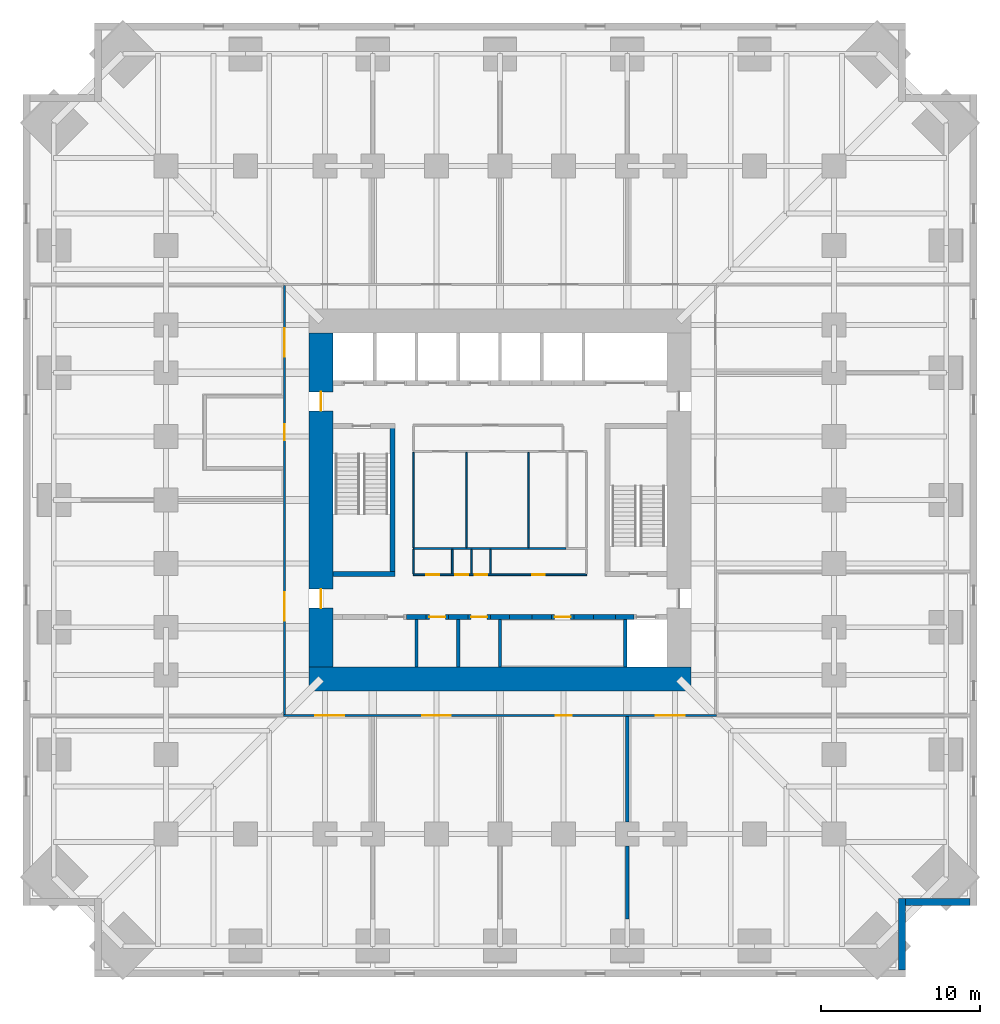
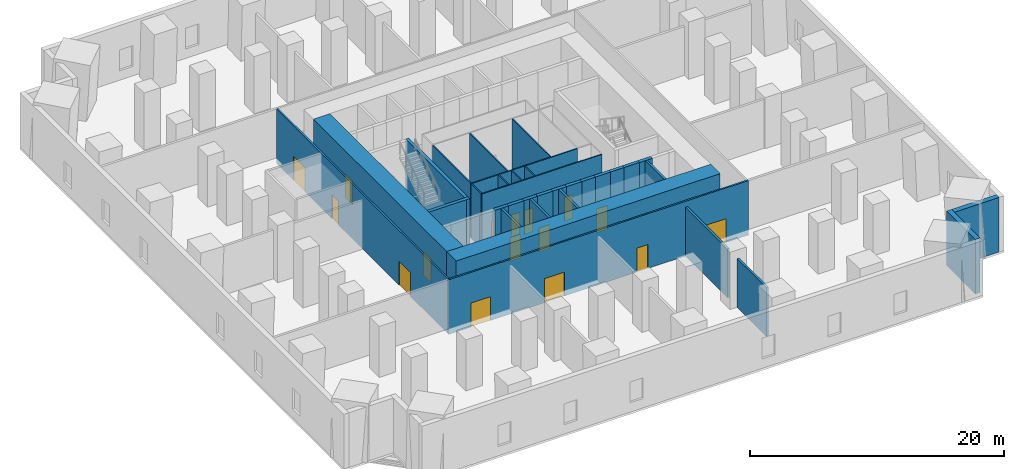
# One storey, part 4 of 8: 34 walls, 16 doors, 16 openings.
"""IFC4 building model written with IfcOpenShell, lengths in metres."""

from ifc_helpers import new_model, si_unit, direction, frame, frame_2d, origin, place, context, subcontext, project, spatial, rectangle, extrude, material, layer, layer_set, type_object, element, fill, save


model = new_model("IFC4")

# Units and contexts
model_context = context("Model", 3, precision=1e-05, world=origin(), true_north=direction((0.0, 1.0)))
body_context = subcontext(model_context, "Body", "Model", "MODEL_VIEW")
ifc_project = project(units=[si_unit("LENGTHUNIT", "METRE"), si_unit("AREAUNIT", "SQUARE_METRE"), si_unit("VOLUMEUNIT", "CUBIC_METRE"), si_unit("PLANEANGLEUNIT", "RADIAN"), si_unit("MASSUNIT", "GRAM", prefix="KILO")], contexts=[model_context])

# Site, building, storey
site_placement = place(None, origin())
site = spatial("IfcSite", under=ifc_project, at=site_placement, CompositionType="ELEMENT")
building_placement = place(site_placement, origin())
building = spatial("IfcBuilding", under=site, at=building_placement, Name="Peilmerk Tower", CompositionType="ELEMENT")
storey_placement = place(building_placement, frame((0.0, 0.0, 70.5)))
storey = spatial("IfcBuildingStorey", under=building, at=storey_placement, Name="L13", CompositionType="ELEMENT", Elevation=70.5)

# Walls
ifc_material_1 = material(Name="Precast concrete C45/55, board-marked finish", Category="concrete")
ifc_layer_1 = layer(ifc_material_1, 0.449951171875)
ifc_layer_set_1 = layer_set([ifc_layer_1], Name="Precast concrete C45/55, board-marked finish")
wall_type_1 = type_object("IfcWallType", Name="EW1 450 precast concrete facade wall, board-marked", PredefinedType="SOLIDWALL", material=ifc_layer_set_1)
wall_1_placement = place(storey_placement, frame((25.27490234375, -25.050048828125, 0.0), z_axis=(0.0, 0.0, 1.0), x_axis=(0.0, -1.0, 0.0)))
element("IfcWall", 1, at=wall_1_placement, inside=storey, type_object=wall_type_1, Name="Facade wall SEA L13", PredefinedType="SOLIDWALL", context=body_context, shape_type="SweptSolid", body=[
    extrude(rectangle(XDim=4.5, YDim=0.449951171875, at=frame_2d((2.25, 0.0))), origin(), (0.0, 0.0, 1.0), 5.25),
])
wall_2_placement = place(storey_placement, frame((25.5, -25.27490234375, 0.0), z_axis=(0.0, 0.0, 1.0), x_axis=(1.0, 0.0, 0.0)))
element("IfcWall", 2, at=wall_2_placement, inside=storey, type_object=wall_type_1, Name="Facade wall SEB L13", PredefinedType="SOLIDWALL", context=body_context, shape_type="SweptSolid", body=[
    extrude(rectangle(XDim=4.050048828125, YDim=0.449951171875, at=frame_2d((2.02490234375, 0.0))), origin(), (0.0, 0.0, 1.0), 5.25),
])

# Wall, openings, doors
ifc_material_2 = material(Name="Calcium silicate block", Category="masonry")
ifc_layer_2 = layer(ifc_material_2, 0.14990234375)
ifc_layer_set_2 = layer_set([ifc_layer_2], Name="Calcium silicate block")
wall_type_2 = type_object("IfcWallType", Name="IW1 150 corridor partition, EI 60", PredefinedType="PARTITIONING", material=ifc_layer_set_2)
wall_3_placement = place(storey_placement, frame((13.625, -13.550048828125, 0.0), z_axis=(0.0, 0.0, 1.0), x_axis=(-1.0, 0.0, 0.0)))
wall_3 = element("IfcWall", 3, at=wall_3_placement, inside=storey, type_object=wall_type_2, Name="Corridor wall S L13", PredefinedType="PARTITIONING", context=body_context, shape_type="SweptSolid", body=[
    extrude(rectangle(XDim=27.25, YDim=0.14990234375, at=frame_2d((13.625, 0.0))), origin(), (0.0, 0.0, 1.0), 5.25),
])
opening_1_placement = place(wall_3_placement, frame((23.425048828125, 0.0, 0.0)))
opening_1 = element("IfcOpeningElement", 4, at=opening_1_placement, cuts=wall_3, Name="Opening D2", PredefinedType="OPENING", context=body_context, shape_type="SweptSolid", body=[
    extrude(rectangle(XDim=1.800048828125, YDim=2.300048828125, at=frame_2d((0.89990234375, 1.14990234375))), frame((0.0, 0.0849609375, 0.0), z_axis=(0.0, -1.0, 0.0), x_axis=(1.0, 0.0, 0.0)), (0.0, 0.0, 1.0), 0.169921875),
])
opening_2_placement = place(wall_3_placement, frame((16.72509765625, 0.0, 0.0)))
opening_2 = element("IfcOpeningElement", 5, at=opening_2_placement, cuts=wall_3, Name="Opening D2", PredefinedType="OPENING", context=body_context, shape_type="SweptSolid", body=[
    extrude(rectangle(XDim=1.800048828125, YDim=2.300048828125, at=frame_2d((0.89990234375, 1.14990234375))), frame((0.0, 0.0849609375, 0.0), z_axis=(0.0, -1.0, 0.0), x_axis=(1.0, 0.0, 0.0)), (0.0, 0.0, 1.0), 0.169921875),
])
opening_3_placement = place(wall_3_placement, frame((9.125, 0.0, 0.0)))
opening_3 = element("IfcOpeningElement", 6, at=opening_3_placement, cuts=wall_3, Name="Opening D1", PredefinedType="OPENING", context=body_context, shape_type="SweptSolid", body=[
    extrude(rectangle(XDim=1.0, YDim=2.300048828125, at=frame_2d((0.5, 1.14990234375))), frame((0.0, 0.0849609375, 0.0), z_axis=(0.0, -1.0, 0.0), x_axis=(1.0, 0.0, 0.0)), (0.0, 0.0, 1.0), 0.169921875),
])
opening_4_placement = place(wall_3_placement, frame((2.02490234375, 0.0, 0.0)))
opening_4 = element("IfcOpeningElement", 7, at=opening_4_placement, cuts=wall_3, Name="Opening D2", PredefinedType="OPENING", context=body_context, shape_type="SweptSolid", body=[
    extrude(rectangle(XDim=1.800048828125, YDim=2.300048828125, at=frame_2d((0.89990234375, 1.14990234375))), frame((0.0, 0.0849609375, 0.0), z_axis=(0.0, -1.0, 0.0), x_axis=(1.0, 0.0, 0.0)), (0.0, 0.0, 1.0), 0.169921875),
])
ifc_material_3 = material(Name="Timber door in steel frame", Category="steel")
door_type_1 = type_object("IfcDoorType", Name="D1 1000x2300 room door, EI2 30", OperationType="SINGLE_SWING_LEFT", PredefinedType="DOOR", material=ifc_material_3)
door_1_placement = place(opening_3_placement, origin())
door_1 = element("IfcDoor", 8, at=door_1_placement, inside=storey, type_object=door_type_1, Name="Door Pump room L13", OperationType="SINGLE_SWING_LEFT", OverallHeight=2.300048828125, OverallWidth=1.0, PredefinedType="DOOR", context=body_context, shape_type="SweptSolid", body=[
    extrude(rectangle(XDim=1.0, YDim=2.300048828125, at=frame_2d((0.5, 1.14990234375))), frame((0.0, 0.02490234375, 0.0), z_axis=(0.0, -1.0, 0.0), x_axis=(1.0, 0.0, 0.0)), (0.0, 0.0, 1.0), 0.050048828125),
])
fill(opening_3, door_1)
ifc_material_4 = material(Name="Steel door in steel frame", Category="steel")
door_type_2 = type_object("IfcDoorType", Name="D2 1800x2300 double door, EI2 60", OperationType="DOUBLE_DOOR_DOUBLE_SWING", PredefinedType="DOOR", material=ifc_material_4)
door_2_placement = place(opening_1_placement, origin())
door_2 = element("IfcDoor", 9, at=door_2_placement, inside=storey, type_object=door_type_2, Name="Door Computer room C L13", OperationType="DOUBLE_DOOR_DOUBLE_SWING", OverallHeight=2.300048828125, OverallWidth=1.800048828125, PredefinedType="DOOR", context=body_context, shape_type="SweptSolid", body=[
    extrude(rectangle(XDim=1.800048828125, YDim=2.300048828125, at=frame_2d((0.89990234375, 1.14990234375))), frame((0.0, 0.02490234375, 0.0), z_axis=(0.0, -1.0, 0.0), x_axis=(1.0, 0.0, 0.0)), (0.0, 0.0, 1.0), 0.050048828125),
])
fill(opening_1, door_2)
door_3_placement = place(opening_2_placement, origin())
door_3 = element("IfcDoor", 10, at=door_3_placement, inside=storey, type_object=door_type_2, Name="Door Network room L13", OperationType="DOUBLE_DOOR_DOUBLE_SWING", OverallHeight=2.300048828125, OverallWidth=1.800048828125, PredefinedType="DOOR", context=body_context, shape_type="SweptSolid", body=[
    extrude(rectangle(XDim=1.800048828125, YDim=2.300048828125, at=frame_2d((0.89990234375, 1.14990234375))), frame((0.0, 0.02490234375, 0.0), z_axis=(0.0, -1.0, 0.0), x_axis=(1.0, 0.0, 0.0)), (0.0, 0.0, 1.0), 0.050048828125),
])
fill(opening_2, door_3)
door_4_placement = place(opening_4_placement, origin())
door_4 = element("IfcDoor", 11, at=door_4_placement, inside=storey, type_object=door_type_2, Name="Door Computer room D L13", OperationType="DOUBLE_DOOR_DOUBLE_SWING", OverallHeight=2.300048828125, OverallWidth=1.800048828125, PredefinedType="DOOR", context=body_context, shape_type="SweptSolid", body=[
    extrude(rectangle(XDim=1.800048828125, YDim=2.300048828125, at=frame_2d((0.89990234375, 1.14990234375))), frame((0.0, 0.02490234375, 0.0), z_axis=(0.0, -1.0, 0.0), x_axis=(1.0, 0.0, 0.0)), (0.0, 0.0, 1.0), 0.050048828125),
])
fill(opening_4, door_4)

wall_4_placement = place(storey_placement, frame((-13.550048828125, 13.47509765625, 0.0), z_axis=(0.0, 0.0, 1.0), x_axis=(0.0, -1.0, 0.0)))
wall_4 = element("IfcWall", 12, at=wall_4_placement, inside=storey, type_object=wall_type_2, Name="Corridor wall W L13", PredefinedType="PARTITIONING", context=body_context, shape_type="SweptSolid", body=[
    extrude(rectangle(XDim=26.9501953125, YDim=0.14990234375, at=frame_2d((13.47509765625, 0.0))), origin(), (0.0, 0.0, 1.0), 5.25),
])
opening_5_placement = place(wall_4_placement, frame((19.27490234375, 0.0, 0.0)))
opening_5 = element("IfcOpeningElement", 13, at=opening_5_placement, cuts=wall_4, Name="Opening D2", PredefinedType="OPENING", context=body_context, shape_type="SweptSolid", body=[
    extrude(rectangle(XDim=1.800048828125, YDim=2.300048828125, at=frame_2d((0.89990234375, 1.14990234375))), frame((0.0, 0.0849609375, 0.0), z_axis=(0.0, -1.0, 0.0), x_axis=(1.0, 0.0, 0.0)), (0.0, 0.0, 1.0), 0.169921875),
])
opening_6_placement = place(wall_4_placement, frame((2.675048828125, 0.0, 0.0)))
opening_6 = element("IfcOpeningElement", 14, at=opening_6_placement, cuts=wall_4, Name="Opening D2", PredefinedType="OPENING", context=body_context, shape_type="SweptSolid", body=[
    extrude(rectangle(XDim=1.800048828125, YDim=2.300048828125, at=frame_2d((0.89990234375, 1.14990234375))), frame((0.0, 0.0849609375, 0.0), z_axis=(0.0, -1.0, 0.0), x_axis=(1.0, 0.0, 0.0)), (0.0, 0.0, 1.0), 0.169921875),
])
opening_7_placement = place(wall_4_placement, frame((8.72509765625, 0.0, 0.0)))
opening_7 = element("IfcOpeningElement", 15, at=opening_7_placement, cuts=wall_4, Name="Opening D1", PredefinedType="OPENING", context=body_context, shape_type="SweptSolid", body=[
    extrude(rectangle(XDim=1.0, YDim=2.300048828125, at=frame_2d((0.5, 1.14990234375))), frame((0.0, 0.0849609375, 0.0), z_axis=(0.0, -1.0, 0.0), x_axis=(1.0, 0.0, 0.0)), (0.0, 0.0, 1.0), 0.169921875),
])
door_5_placement = place(opening_7_placement, frame((1.0, 0.0, 0.0), z_axis=(0.0, 0.0, 1.0), x_axis=(-1.0, 0.0, 0.0)))
door_5 = element("IfcDoor", 16, at=door_5_placement, inside=storey, type_object=door_type_1, Name="Door Operations office L13", OperationType="SINGLE_SWING_LEFT", OverallHeight=2.300048828125, OverallWidth=1.0, PredefinedType="DOOR", context=body_context, shape_type="SweptSolid", body=[
    extrude(rectangle(XDim=1.0, YDim=2.300048828125, at=frame_2d((0.5, 1.14990234375))), frame((0.0, 0.02490234375, 0.0), z_axis=(0.0, -1.0, 0.0), x_axis=(1.0, 0.0, 0.0)), (0.0, 0.0, 1.0), 0.050048828125),
])
fill(opening_7, door_5)
door_6_placement = place(opening_5_placement, frame((1.800048828125, 0.0, 0.0), z_axis=(0.0, 0.0, 1.0), x_axis=(-1.0, 0.0, 0.0)))
door_6 = element("IfcDoor", 17, at=door_6_placement, inside=storey, type_object=door_type_2, Name="Door Battery room L13", OperationType="DOUBLE_DOOR_DOUBLE_SWING", OverallHeight=2.300048828125, OverallWidth=1.800048828125, PredefinedType="DOOR", context=body_context, shape_type="SweptSolid", body=[
    extrude(rectangle(XDim=1.800048828125, YDim=2.300048828125, at=frame_2d((0.89990234375, 1.14990234375))), frame((0.0, 0.02490234375, 0.0), z_axis=(0.0, -1.0, 0.0), x_axis=(1.0, 0.0, 0.0)), (0.0, 0.0, 1.0), 0.050048828125),
])
fill(opening_5, door_6)
door_7_placement = place(opening_6_placement, frame((1.800048828125, 0.0, 0.0), z_axis=(0.0, 0.0, 1.0), x_axis=(-1.0, 0.0, 0.0)))
door_7 = element("IfcDoor", 18, at=door_7_placement, inside=storey, type_object=door_type_2, Name="Door UPS room L13", OperationType="DOUBLE_DOOR_DOUBLE_SWING", OverallHeight=2.300048828125, OverallWidth=1.800048828125, PredefinedType="DOOR", context=body_context, shape_type="SweptSolid", body=[
    extrude(rectangle(XDim=1.800048828125, YDim=2.300048828125, at=frame_2d((0.89990234375, 1.14990234375))), frame((0.0, 0.02490234375, 0.0), z_axis=(0.0, -1.0, 0.0), x_axis=(1.0, 0.0, 0.0)), (0.0, 0.0, 1.0), 0.050048828125),
])
fill(opening_6, door_7)

# Walls
ifc_layer_3 = layer(ifc_material_2, 0.199951171875)
ifc_layer_set_3 = layer_set([ifc_layer_3], Name="Calcium silicate block")
wall_type_3 = type_object("IfcWallType", Name="IW2 200 room separating wall, EI 120", PredefinedType="PARTITIONING", material=ifc_layer_set_3)
wall_5_placement = place(storey_placement, frame((8.0, -13.625, 0.0), z_axis=(0.0, 0.0, 1.0), x_axis=(0.0, -1.0, 0.0)))
element("IfcWall", 19, at=wall_5_placement, inside=storey, type_object=wall_type_3, Name="Room separating wall S3 L13", PredefinedType="PARTITIONING", context=body_context, shape_type="SweptSolid", body=[
    extrude(rectangle(XDim=6.625, YDim=0.199951171875, at=frame_2d((3.3125, 0.0))), origin(), (0.0, 0.0, 1.0), 4.680908203125),
])
wall_6_placement = place(storey_placement, frame((8.0, -21.75, 0.0), z_axis=(0.0, 0.0, 1.0), x_axis=(0.0, -1.0, 0.0)))
element("IfcWall", 20, at=wall_6_placement, inside=storey, type_object=wall_type_3, Name="Room separating wall S3b L13", PredefinedType="PARTITIONING", context=body_context, shape_type="SweptSolid", body=[
    extrude(rectangle(XDim=4.597412109375, YDim=0.199951171875, at=frame_2d((2.298828125, 0.0))), origin(), (0.0, 0.0, 1.0), 4.680908203125),
])
ifc_material_5 = material(Name="Concrete C35/45", Category="concrete")
ifc_layer_4 = layer(ifc_material_5, 0.300048828125)
ifc_layer_set_4 = layer_set([ifc_layer_4], Name="Concrete C35/45")
wall_type_4 = type_object("IfcWallType", Name="IW3 300 concrete stair enclosure wall, EI 120", PredefinedType="SOLIDWALL", material=ifc_layer_set_4)
wall_7_placement = place(storey_placement, frame((-6.75, -4.800048828125, 0.0), z_axis=(0.0, 0.0, 1.0), x_axis=(0.0, 1.0, 0.0)))
element("IfcWall", 21, at=wall_7_placement, inside=storey, type_object=wall_type_4, Name="Stair 1 enclosure L13", PredefinedType="SOLIDWALL", context=body_context, shape_type="SweptSolid", body=[
    extrude(rectangle(XDim=9.60009765625, YDim=0.300048828125, at=frame_2d((4.800048828125, 0.0))), origin(), (0.0, 0.0, 1.0), 5.25),
])
wall_8_placement = place(storey_placement, frame((-6.60009765625, -4.64990234375, 0.0), z_axis=(0.0, 0.0, 1.0), x_axis=(-1.0, 0.0, 0.0)))
element("IfcWall", 22, at=wall_8_placement, inside=storey, type_object=wall_type_4, Name="Stair 1 enclosure L13", PredefinedType="SOLIDWALL", context=body_context, shape_type="SweptSolid", body=[
    extrude(rectangle(XDim=3.89990234375, YDim=0.300048828125, at=frame_2d((1.949951171875, 0.0))), origin(), (0.0, 0.0, 1.0), 5.25),
])
ifc_material_6 = material(Name="Plasterboard on steel studs", Category="steel")
ifc_layer_5 = layer(ifc_material_6, 0.10009765625)
ifc_layer_set_5 = layer_set([ifc_layer_5], Name="Plasterboard on steel studs")
wall_type_5 = type_object("IfcWallType", Name="IW4 100 WC partition", PredefinedType="PARTITIONING", material=ifc_layer_set_5)
wall_9_placement = place(storey_placement, frame((4.14990234375, -3.050048828125, 0.0), z_axis=(0.0, 0.0, 1.0), x_axis=(-1.0, 0.0, 0.0)))
element("IfcWall", 23, at=wall_9_placement, inside=storey, type_object=wall_type_5, Name="WC wall L13", PredefinedType="PARTITIONING", context=body_context, shape_type="SweptSolid", body=[
    extrude(rectangle(XDim=9.599853515625, YDim=0.10009765625, at=frame_2d((4.7998046875, 0.0))), origin(), (0.0, 0.0, 1.0), 5.25),
])
for number, where, z_axis, x_axis, name in (
    (24, (-5.449951171875, -3.0, 0.0), (0.0, 0.0, 1.0), (0.0, 1.0, 0.0), "WC wall L13"),
    (25, (-2.10009765625, -3.0, 0.0), (0.0, 0.0, 1.0), (0.0, 1.0, 0.0), "WC wall L13"),
    (26, (1.800048828125, -3.0, 0.0), (0.0, 0.0, 1.0), (0.0, 1.0, 0.0), "WC wall L13"),
):
    element("IfcWall", number, at=place(storey_placement, frame(where, z_axis=z_axis, x_axis=x_axis)), inside=storey, type_object=wall_type_5, Name=name, PredefinedType="PARTITIONING", context=body_context, shape_type="SweptSolid", body=[
        extrude(rectangle(XDim=6.0, YDim=0.10009765625, at=frame_2d((3.0, 0.0))), origin(), (0.0, 0.0, 1.0), 5.25),
    ])

# Wall, openings, doors
ifc_material_7 = material(Name="Calcium silicate board on steel studs", Category="steel")
ifc_layer_6 = layer(ifc_material_7, 0.10009765625)
ifc_layer_set_6 = layer_set([ifc_layer_6], Name="Calcium silicate board on steel studs")
wall_type_6 = type_object("IfcWallType", Name="IW5 100 riser enclosure wall, EI 60", PredefinedType="PARTITIONING", material=ifc_layer_set_6)
wall_10_placement = place(storey_placement, frame((5.449951171875, -4.699951171875, 0.0), z_axis=(0.0, 0.0, 1.0), x_axis=(-1.0, 0.0, 0.0)))
wall_10 = element("IfcWall", 27, at=wall_10_placement, inside=storey, type_object=wall_type_6, Name="Riser wall L13", PredefinedType="PARTITIONING", context=body_context, shape_type="SweptSolid", body=[
    extrude(rectangle(XDim=10.89990234375, YDim=0.10009765625, at=frame_2d((5.449951171875, 0.0))), origin(), (0.0, 0.0, 1.0), 5.25),
])
opening_8_placement = place(wall_10_placement, frame((9.27490234375, 0.0, 0.0)))
opening_8 = element("IfcOpeningElement", 28, at=opening_8_placement, cuts=wall_10, Name="Opening D7", PredefinedType="OPENING", context=body_context, shape_type="SweptSolid", body=[
    extrude(rectangle(XDim=0.800048828125, YDim=2.300048828125, at=frame_2d((0.39990234375, 1.14990234375))), frame((0.0, 0.06005859375, 0.0), z_axis=(0.0, -1.0, 0.0), x_axis=(1.0, 0.0, 0.0)), (0.0, 0.0, 1.0), 0.1201171875),
])
opening_9_placement = place(wall_10_placement, frame((7.449951171875, 0.0, 0.0)))
opening_9 = element("IfcOpeningElement", 29, at=opening_9_placement, cuts=wall_10, Name="Opening D7", PredefinedType="OPENING", context=body_context, shape_type="SweptSolid", body=[
    extrude(rectangle(XDim=0.800048828125, YDim=2.300048828125, at=frame_2d((0.39990234375, 1.14990234375))), frame((0.0, 0.06005859375, 0.0), z_axis=(0.0, -1.0, 0.0), x_axis=(1.0, 0.0, 0.0)), (0.0, 0.0, 1.0), 0.1201171875),
])
opening_10_placement = place(wall_10_placement, frame((6.25, 0.0, 0.0)))
opening_10 = element("IfcOpeningElement", 30, at=opening_10_placement, cuts=wall_10, Name="Opening D7", PredefinedType="OPENING", context=body_context, shape_type="SweptSolid", body=[
    extrude(rectangle(XDim=0.800048828125, YDim=2.300048828125, at=frame_2d((0.39990234375, 1.14990234375))), frame((0.0, 0.06005859375, 0.0), z_axis=(0.0, -1.0, 0.0), x_axis=(1.0, 0.0, 0.0)), (0.0, 0.0, 1.0), 0.1201171875),
])
opening_11_placement = place(wall_10_placement, frame((2.625, 0.0, 0.0)))
opening_11 = element("IfcOpeningElement", 31, at=opening_11_placement, cuts=wall_10, Name="Opening D7", PredefinedType="OPENING", context=body_context, shape_type="SweptSolid", body=[
    extrude(rectangle(XDim=0.800048828125, YDim=2.300048828125, at=frame_2d((0.39990234375, 1.14990234375))), frame((0.0, 0.06005859375, 0.0), z_axis=(0.0, -1.0, 0.0), x_axis=(1.0, 0.0, 0.0)), (0.0, 0.0, 1.0), 0.1201171875),
])
door_type_3 = type_object("IfcDoorType", Name="D7 800x2300 riser access door, EI2 60", OperationType="SINGLE_SWING_RIGHT", PredefinedType="DOOR", material=ifc_material_4)
door_8_placement = place(opening_8_placement, frame((0.800048828125, 0.0, 0.0), z_axis=(0.0, 0.0, 1.0), x_axis=(-1.0, 0.0, 0.0)))
door_8 = element("IfcDoor", 32, at=door_8_placement, inside=storey, type_object=door_type_3, Name="Cleaner's cupboard door L13", OperationType="SINGLE_SWING_RIGHT", OverallHeight=2.300048828125, OverallWidth=0.800048828125, PredefinedType="DOOR", context=body_context, shape_type="SweptSolid", body=[
    extrude(rectangle(XDim=0.800048828125, YDim=2.300048828125, at=frame_2d((0.39990234375, 1.14990234375))), frame((0.0, 0.02490234375, 0.0), z_axis=(0.0, -1.0, 0.0), x_axis=(1.0, 0.0, 0.0)), (0.0, 0.0, 1.0), 0.050048828125),
])
fill(opening_8, door_8)
door_9_placement = place(opening_9_placement, frame((0.800048828125, 0.0, 0.0), z_axis=(0.0, 0.0, 1.0), x_axis=(-1.0, 0.0, 0.0)))
door_9 = element("IfcDoor", 33, at=door_9_placement, inside=storey, type_object=door_type_3, Name="Electrical riser door L13", OperationType="SINGLE_SWING_RIGHT", OverallHeight=2.300048828125, OverallWidth=0.800048828125, PredefinedType="DOOR", context=body_context, shape_type="SweptSolid", body=[
    extrude(rectangle(XDim=0.800048828125, YDim=2.300048828125, at=frame_2d((0.39990234375, 1.14990234375))), frame((0.0, 0.02490234375, 0.0), z_axis=(0.0, -1.0, 0.0), x_axis=(1.0, 0.0, 0.0)), (0.0, 0.0, 1.0), 0.050048828125),
])
fill(opening_9, door_9)
door_10_placement = place(opening_10_placement, frame((0.800048828125, 0.0, 0.0), z_axis=(0.0, 0.0, 1.0), x_axis=(-1.0, 0.0, 0.0)))
door_10 = element("IfcDoor", 34, at=door_10_placement, inside=storey, type_object=door_type_3, Name="Data riser door L13", OperationType="SINGLE_SWING_RIGHT", OverallHeight=2.300048828125, OverallWidth=0.800048828125, PredefinedType="DOOR", context=body_context, shape_type="SweptSolid", body=[
    extrude(rectangle(XDim=0.800048828125, YDim=2.300048828125, at=frame_2d((0.39990234375, 1.14990234375))), frame((0.0, 0.02490234375, 0.0), z_axis=(0.0, -1.0, 0.0), x_axis=(1.0, 0.0, 0.0)), (0.0, 0.0, 1.0), 0.050048828125),
])
fill(opening_10, door_10)
door_11_placement = place(opening_11_placement, frame((0.800048828125, 0.0, 0.0), z_axis=(0.0, 0.0, 1.0), x_axis=(-1.0, 0.0, 0.0)))
door_11 = element("IfcDoor", 35, at=door_11_placement, inside=storey, type_object=door_type_3, Name="Comms room door L13", OperationType="SINGLE_SWING_RIGHT", OverallHeight=2.300048828125, OverallWidth=0.800048828125, PredefinedType="DOOR", context=body_context, shape_type="SweptSolid", body=[
    extrude(rectangle(XDim=0.800048828125, YDim=2.300048828125, at=frame_2d((0.39990234375, 1.14990234375))), frame((0.0, 0.02490234375, 0.0), z_axis=(0.0, -1.0, 0.0), x_axis=(1.0, 0.0, 0.0)), (0.0, 0.0, 1.0), 0.050048828125),
])
fill(opening_11, door_11)

# Walls
for number, where, z_axis, x_axis, name in (
    (36, (-5.449951171875, -3.10009765625, 0.0), (0.0, 0.0, 1.0), (0.0, -1.0, 0.0), "Riser wall L13"),
    (37, (-3.0, -3.10009765625, 0.0), (0.0, 0.0, 1.0), (0.0, -1.0, 0.0), "Riser wall L13"),
    (38, (-1.800048828125, -3.10009765625, 0.0), (0.0, 0.0, 1.0), (0.0, -1.0, 0.0), "Riser wall L13"),
    (39, (-0.60009765625, -3.10009765625, 0.0), (0.0, 0.0, 1.0), (0.0, -1.0, 0.0), "Riser wall L13"),
):
    element("IfcWall", number, at=place(storey_placement, frame(where, z_axis=z_axis, x_axis=x_axis)), inside=storey, type_object=wall_type_6, Name=name, PredefinedType="PARTITIONING", context=body_context, shape_type="SweptSolid", body=[
        extrude(rectangle(XDim=1.5498046875, YDim=0.10009765625, at=frame_2d((0.77490234375, 0.0))), origin(), (0.0, 0.0, 1.0), 5.25),
    ])
ifc_layer_7 = layer(ifc_material_2, 0.199951171875)
ifc_layer_set_7 = layer_set([ifc_layer_7], Name="Calcium silicate block")
wall_type_7 = type_object("IfcWallType", Name="SH1 200 shaft dividing wall, EI 120", PredefinedType="PARTITIONING", material=ifc_layer_set_7)
for number, where, z_axis, x_axis, name in (
    (40, (-5.25, -10.5, 0.0), (0.0, 0.0, 1.0), (0.0, 1.0, 0.0), "Shaft wall S C3 L13"),
    (41, (-2.625, -10.5, 0.0), (0.0, 0.0, 1.0), (0.0, 1.0, 0.0), "Shaft wall S C2 L13"),
    (42, (0.0, -10.5, 0.0), (0.0, 0.0, 1.0), (0.0, 1.0, 0.0), "Shaft wall S C1 L13"),
    (43, (7.875, -10.5, 0.0), (0.0, 0.0, 1.0), (0.0, 1.0, 0.0), "Shaft wall S B1 L13"),
):
    element("IfcWall", number, at=place(storey_placement, frame(where, z_axis=z_axis, x_axis=x_axis)), inside=storey, type_object=wall_type_7, Name=name, PredefinedType="PARTITIONING", context=body_context, shape_type="SweptSolid", body=[
        extrude(rectangle(XDim=3.0, YDim=0.199951171875, at=frame_2d((1.5, 0.0))), origin(), (0.0, 0.0, 1.0), 5.5),
    ])

# Wall, opening, door
ifc_layer_8 = layer(ifc_material_2, 0.300048828125)
ifc_layer_set_8 = layer_set([ifc_layer_8], Name="Calcium silicate block")
wall_type_8 = type_object("IfcWallType", Name="SH2 300 lift landing door panel, EI 120", PredefinedType="PARTITIONING", material=ifc_layer_set_8)
wall_11_placement = place(storey_placement, frame((-4.637451171875, -7.35009765625, 0.0), z_axis=(0.0, 0.0, 1.0), x_axis=(1.0, 0.0, 0.0)))
wall_11 = element("IfcWall", 44, at=wall_11_placement, inside=storey, type_object=wall_type_8, Name="Lift door panel S C2 L13", PredefinedType="PARTITIONING", context=body_context, shape_type="SweptSolid", body=[
    extrude(rectangle(XDim=1.39990234375, YDim=0.300048828125, at=frame_2d((0.699951171875, 0.0))), origin(), (0.0, 0.0, 1.0), 5.5),
])
opening_12_placement = place(wall_11_placement, frame((0.199951171875, 0.0, 0.0)))
opening_12 = element("IfcOpeningElement", 45, at=opening_12_placement, cuts=wall_11, Name="Opening D10", PredefinedType="OPENING", context=body_context, shape_type="SweptSolid", body=[
    extrude(rectangle(XDim=1.0, YDim=2.300048828125, at=frame_2d((0.5, 1.14990234375))), frame((0.0, 0.159912109375, 0.0), z_axis=(0.0, -1.0, 0.0), x_axis=(1.0, 0.0, 0.0)), (0.0, 0.0, 1.0), 0.320068359375),
])
door_type_4 = type_object("IfcDoorType", Name="D10 1000x2300 core room door, EI2 60", OperationType="SINGLE_SWING_RIGHT", PredefinedType="DOOR", material=ifc_material_4)
door_12_placement = place(opening_12_placement, frame((1.0, 0.0, 0.0), z_axis=(0.0, 0.0, 1.0), x_axis=(-1.0, 0.0, 0.0)))
door_12 = element("IfcDoor", 46, at=door_12_placement, inside=storey, type_object=door_type_4, Name="Door Electrical room L13", OperationType="SINGLE_SWING_RIGHT", OverallHeight=2.300048828125, OverallWidth=1.0, PredefinedType="DOOR", context=body_context, shape_type="SweptSolid", body=[
    extrude(rectangle(XDim=1.0, YDim=2.300048828125, at=frame_2d((0.5, 1.14990234375))), frame((0.0, 0.02490234375, 0.0), z_axis=(0.0, -1.0, 0.0), x_axis=(1.0, 0.0, 0.0)), (0.0, 0.0, 1.0), 0.050048828125),
])
fill(opening_12, door_12)

wall_12_placement = place(storey_placement, frame((-2.012451171875, -7.35009765625, 0.0), z_axis=(0.0, 0.0, 1.0), x_axis=(1.0, 0.0, 0.0)))
wall_12 = element("IfcWall", 47, at=wall_12_placement, inside=storey, type_object=wall_type_8, Name="Lift door panel S C1 L13", PredefinedType="PARTITIONING", context=body_context, shape_type="SweptSolid", body=[
    extrude(rectangle(XDim=1.39990234375, YDim=0.300048828125, at=frame_2d((0.699951171875, 0.0))), origin(), (0.0, 0.0, 1.0), 5.5),
])
opening_13_placement = place(wall_12_placement, frame((0.199951171875, 0.0, 0.0)))
opening_13 = element("IfcOpeningElement", 48, at=opening_13_placement, cuts=wall_12, Name="Opening D10", PredefinedType="OPENING", context=body_context, shape_type="SweptSolid", body=[
    extrude(rectangle(XDim=1.0, YDim=2.300048828125, at=frame_2d((0.5, 1.14990234375))), frame((0.0, 0.159912109375, 0.0), z_axis=(0.0, -1.0, 0.0), x_axis=(1.0, 0.0, 0.0)), (0.0, 0.0, 1.0), 0.320068359375),
])
door_13_placement = place(opening_13_placement, frame((1.0, 0.0, 0.0), z_axis=(0.0, 0.0, 1.0), x_axis=(-1.0, 0.0, 0.0)))
door_13 = element("IfcDoor", 49, at=door_13_placement, inside=storey, type_object=door_type_4, Name="Door Staff WC L13", OperationType="SINGLE_SWING_RIGHT", OverallHeight=2.300048828125, OverallWidth=1.0, PredefinedType="DOOR", context=body_context, shape_type="SweptSolid", body=[
    extrude(rectangle(XDim=1.0, YDim=2.300048828125, at=frame_2d((0.5, 1.14990234375))), frame((0.0, 0.02490234375, 0.0), z_axis=(0.0, -1.0, 0.0), x_axis=(1.0, 0.0, 0.0)), (0.0, 0.0, 1.0), 0.050048828125),
])
fill(opening_13, door_13)

# Wall
wall_13_placement = place(storey_placement, frame((0.612548828125, -7.35009765625, 0.0), z_axis=(0.0, 0.0, 1.0), x_axis=(1.0, 0.0, 0.0)))
element("IfcWall", 50, at=wall_13_placement, inside=storey, type_object=wall_type_8, Name="Lift door panel S B3 L13", PredefinedType="PARTITIONING", context=body_context, shape_type="SweptSolid", body=[
    extrude(rectangle(XDim=1.39990234375, YDim=0.300048828125, at=frame_2d((0.699951171875, 0.0))), origin(), (0.0, 0.0, 1.0), 5.5),
])

# Wall, opening, door
wall_14_placement = place(storey_placement, frame((3.237548828125, -7.35009765625, 0.0), z_axis=(0.0, 0.0, 1.0), x_axis=(1.0, 0.0, 0.0)))
wall_14 = element("IfcWall", 51, at=wall_14_placement, inside=storey, type_object=wall_type_8, Name="Lift door panel S B2 L13", PredefinedType="PARTITIONING", context=body_context, shape_type="SweptSolid", body=[
    extrude(rectangle(XDim=1.39990234375, YDim=0.300048828125, at=frame_2d((0.699951171875, 0.0))), origin(), (0.0, 0.0, 1.0), 5.5),
])
opening_14_placement = place(wall_14_placement, frame((0.199951171875, 0.0, 0.0)))
opening_14 = element("IfcOpeningElement", 52, at=opening_14_placement, cuts=wall_14, Name="Opening D10", PredefinedType="OPENING", context=body_context, shape_type="SweptSolid", body=[
    extrude(rectangle(XDim=1.0, YDim=2.300048828125, at=frame_2d((0.5, 1.14990234375))), frame((0.0, 0.159912109375, 0.0), z_axis=(0.0, -1.0, 0.0), x_axis=(1.0, 0.0, 0.0)), (0.0, 0.0, 1.0), 0.320068359375),
])
door_14_placement = place(opening_14_placement, frame((1.0, 0.0, 0.0), z_axis=(0.0, 0.0, 1.0), x_axis=(-1.0, 0.0, 0.0)))
door_14 = element("IfcDoor", 53, at=door_14_placement, inside=storey, type_object=door_type_4, Name="Door Back-of-house office L13", OperationType="SINGLE_SWING_RIGHT", OverallHeight=2.300048828125, OverallWidth=1.0, PredefinedType="DOOR", context=body_context, shape_type="SweptSolid", body=[
    extrude(rectangle(XDim=1.0, YDim=2.300048828125, at=frame_2d((0.5, 1.14990234375))), frame((0.0, 0.02490234375, 0.0), z_axis=(0.0, -1.0, 0.0), x_axis=(1.0, 0.0, 0.0)), (0.0, 0.0, 1.0), 0.050048828125),
])
fill(opening_14, door_14)

# Walls
wall_15_placement = place(storey_placement, frame((5.862548828125, -7.35009765625, 0.0), z_axis=(0.0, 0.0, 1.0), x_axis=(1.0, 0.0, 0.0)))
element("IfcWall", 54, at=wall_15_placement, inside=storey, type_object=wall_type_8, Name="Lift door panel S B1 L13", PredefinedType="PARTITIONING", context=body_context, shape_type="SweptSolid", body=[
    extrude(rectangle(XDim=1.39990234375, YDim=0.300048828125, at=frame_2d((0.699951171875, 0.0))), origin(), (0.0, 0.0, 1.0), 5.5),
])
ifc_material_8 = material(Name="Concrete C55/67", Category="concrete")
ifc_layer_9 = layer(ifc_material_8, 1.5)
ifc_layer_set_9 = layer_set([ifc_layer_9], Name="Concrete C55/67")
wall_type_9 = type_object("IfcWallType", Name="SW1 1500 core wall", PredefinedType="SHEAR", material=ifc_layer_set_9)
wall_16_placement = place(storey_placement, frame((12.0, -11.25, 0.0), z_axis=(0.0, 0.0, 1.0), x_axis=(-1.0, 0.0, 0.0)))
element("IfcWall", 55, at=wall_16_placement, inside=storey, type_object=wall_type_9, Name="Core wall S L13", PredefinedType="SHEAR", context=body_context, shape_type="SweptSolid", body=[
    extrude(rectangle(XDim=24.0, YDim=1.5, at=frame_2d((12.0, 0.0))), origin(), (0.0, 0.0, 1.0), 5.5),
])

# Wall, openings, doors
wall_17_placement = place(storey_placement, frame((-11.25, -10.5, 0.0), z_axis=(0.0, 0.0, 1.0), x_axis=(0.0, 1.0, 0.0)))
wall_17 = element("IfcWall", 56, at=wall_17_placement, inside=storey, type_object=wall_type_9, Name="Core wall W L13", PredefinedType="SHEAR", context=body_context, shape_type="SweptSolid", body=[
    extrude(rectangle(XDim=21.0, YDim=1.5, at=frame_2d((10.5, 0.0))), origin(), (0.0, 0.0, 1.0), 5.5),
])
opening_15_placement = place(wall_17_placement, frame((16.10009765625, 0.0, 0.0)))
opening_15 = element("IfcOpeningElement", 57, at=opening_15_placement, cuts=wall_17, Name="Opening D3", PredefinedType="OPENING", context=body_context, shape_type="SweptSolid", body=[
    extrude(rectangle(XDim=1.199951171875, YDim=2.300048828125, at=frame_2d((0.60009765625, 1.14990234375))), frame((0.0, 0.760009765625, 0.0), z_axis=(0.0, -1.0, 0.0), x_axis=(1.0, 0.0, 0.0)), (0.0, 0.0, 1.0), 1.52001953125),
])
opening_16_placement = place(wall_17_placement, frame((3.699951171875, 0.0, 0.0)))
opening_16 = element("IfcOpeningElement", 58, at=opening_16_placement, cuts=wall_17, Name="Opening D3", PredefinedType="OPENING", context=body_context, shape_type="SweptSolid", body=[
    extrude(rectangle(XDim=1.199951171875, YDim=2.300048828125, at=frame_2d((0.60009765625, 1.14990234375))), frame((0.0, 0.760009765625, 0.0), z_axis=(0.0, -1.0, 0.0), x_axis=(1.0, 0.0, 0.0)), (0.0, 0.0, 1.0), 1.52001953125),
])
door_type_5 = type_object("IfcDoorType", Name="D3 1200x2300 core door, EI2 60", OperationType="SINGLE_SWING_LEFT", PredefinedType="DOOR", material=ifc_material_4)
door_15_placement = place(opening_15_placement, frame((1.199951171875, 0.0, 0.0), z_axis=(0.0, 0.0, 1.0), x_axis=(-1.0, 0.0, 0.0)))
door_15 = element("IfcDoor", 59, at=door_15_placement, inside=storey, type_object=door_type_5, Name="Core door L13", OperationType="SINGLE_SWING_LEFT", OverallHeight=2.300048828125, OverallWidth=1.199951171875, PredefinedType="DOOR", context=body_context, shape_type="SweptSolid", body=[
    extrude(rectangle(XDim=1.199951171875, YDim=2.300048828125, at=frame_2d((0.60009765625, 1.14990234375))), frame((0.0, 0.02490234375, 0.0), z_axis=(0.0, -1.0, 0.0), x_axis=(1.0, 0.0, 0.0)), (0.0, 0.0, 1.0), 0.050048828125),
])
fill(opening_15, door_15)
door_16_placement = place(opening_16_placement, frame((1.199951171875, 0.0, 0.0), z_axis=(0.0, 0.0, 1.0), x_axis=(-1.0, 0.0, 0.0)))
door_16 = element("IfcDoor", 60, at=door_16_placement, inside=storey, type_object=door_type_5, Name="Core door L13", OperationType="SINGLE_SWING_LEFT", OverallHeight=2.300048828125, OverallWidth=1.199951171875, PredefinedType="DOOR", context=body_context, shape_type="SweptSolid", body=[
    extrude(rectangle(XDim=1.199951171875, YDim=2.300048828125, at=frame_2d((0.60009765625, 1.14990234375))), frame((0.0, 0.02490234375, 0.0), z_axis=(0.0, -1.0, 0.0), x_axis=(1.0, 0.0, 0.0)), (0.0, 0.0, 1.0), 0.050048828125),
])
fill(opening_16, door_16)

# Walls
ifc_layer_10 = layer(ifc_material_8, 0.300048828125)
ifc_layer_set_10 = layer_set([ifc_layer_10], Name="Concrete C55/67")
wall_type_10 = type_object("IfcWallType", Name="SW2 300 lift bank pier", PredefinedType="SHEAR", material=ifc_layer_set_10)
for number, where, z_axis, x_axis, name in (
    (61, (-5.862548828125, -7.35009765625, 0.0), (0.0, 0.0, 1.0), (1.0, 0.0, 0.0), "Lift bank pier S L13"),
    (62, (-3.237548828125, -7.35009765625, 0.0), (0.0, 0.0, 1.0), (1.0, 0.0, 0.0), "Lift bank pier S L13"),
    (63, (-0.612548828125, -7.35009765625, 0.0), (0.0, 0.0, 1.0), (1.0, 0.0, 0.0), "Lift bank pier S L13"),
    (64, (2.012451171875, -7.35009765625, 0.0), (0.0, 0.0, 1.0), (1.0, 0.0, 0.0), "Lift bank pier S L13"),
    (65, (4.637451171875, -7.35009765625, 0.0), (0.0, 0.0, 1.0), (1.0, 0.0, 0.0), "Lift bank pier S L13"),
):
    element("IfcWall", number, at=place(storey_placement, frame(where, z_axis=z_axis, x_axis=x_axis)), inside=storey, type_object=wall_type_10, Name=name, PredefinedType="SHEAR", context=body_context, shape_type="SweptSolid", body=[
        extrude(rectangle(XDim=1.22509765625, YDim=0.300048828125, at=frame_2d((0.612548828125, 0.0))), origin(), (0.0, 0.0, 1.0), 5.5),
    ])
wall_18_placement = place(storey_placement, frame((7.262451171875, -7.35009765625, 0.0), z_axis=(0.0, 0.0, 1.0), x_axis=(1.0, 0.0, 0.0)))
element("IfcWall", 66, at=wall_18_placement, inside=storey, type_object=wall_type_10, Name="Lift bank pier S L13", PredefinedType="SHEAR", context=body_context, shape_type="SweptSolid", body=[
    extrude(rectangle(XDim=1.175048828125, YDim=0.300048828125, at=frame_2d((0.58740234375, 0.0))), origin(), (0.0, 0.0, 1.0), 5.5),
])

save(model, "model.ifc")
